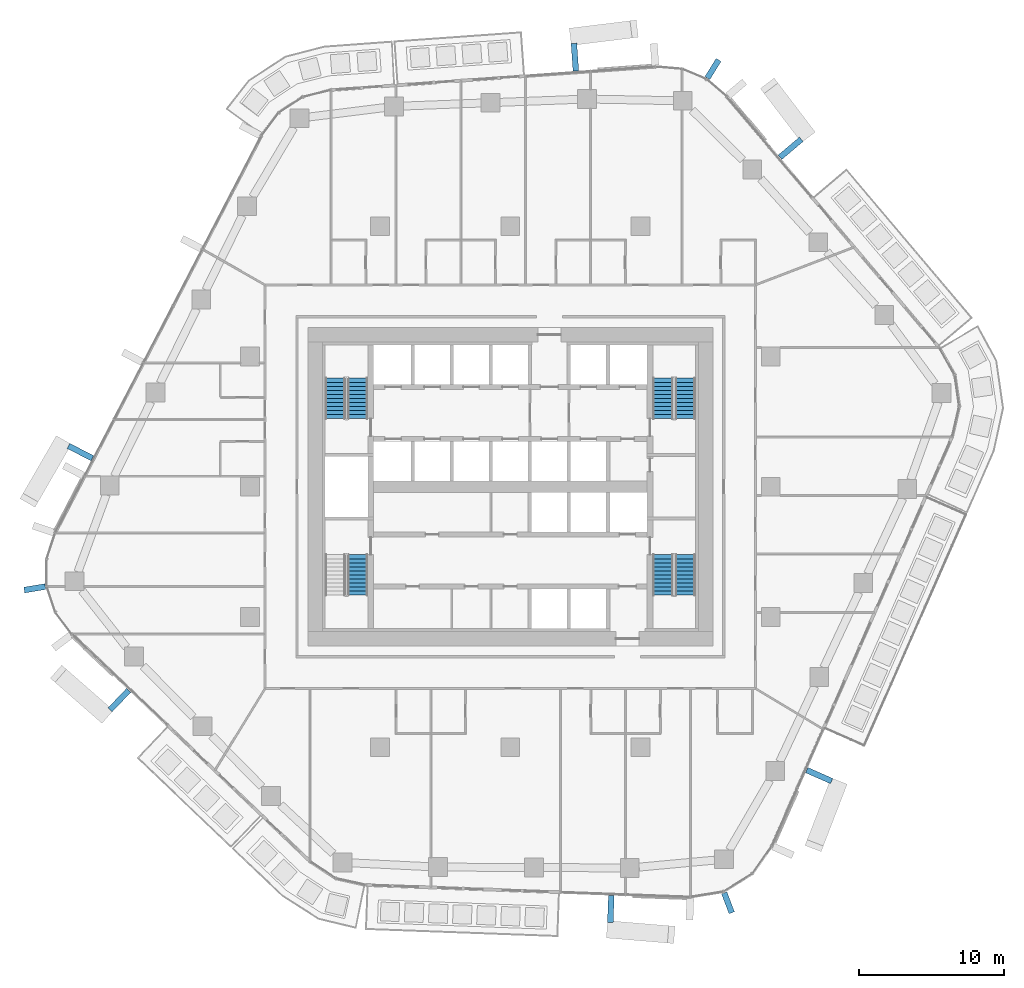
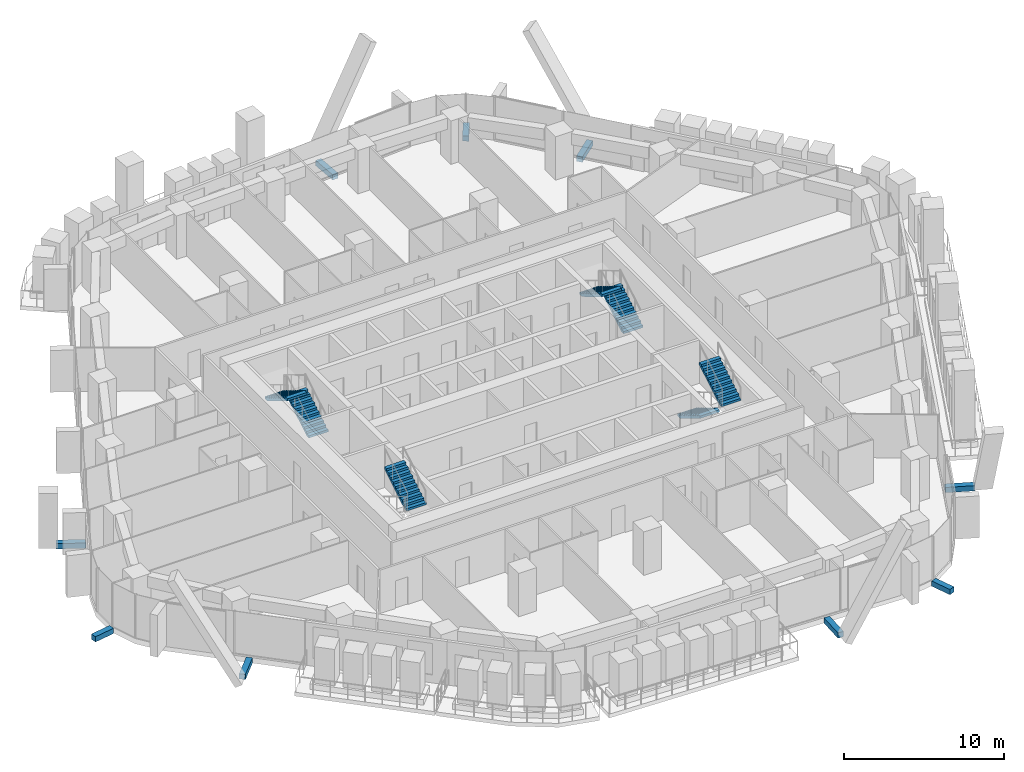
# One storey, part 18 of 24: 9 discrete accessories, 7 stair flights, 4 elements without a shape of their own.
"""IFC4 building model written with IfcOpenShell, lengths in metres."""

import ifcopenshell
import ifcopenshell.guid

model = None  # the IFC model being written
_history = None  # IfcOwnerHistory: only IFC2X3 demands one
_inside = {}  # id of a spatial element -> (the spatial element, [elements in it])
_under = {}  # id of a project, library or spatial element -> (it, [spatial elements below it])
_declared = {}  # id of a project -> (the project, [libraries it declares])
_typed = {}  # id of a type object -> (the type object, [elements of that type])
_made_of = {}  # id of a material, layer set ... -> (it, [elements and type objects made of it])


def new_model(schema):
    """Start an empty IFC model of exactly this schema.

    Asked for "IFC4X3", IfcOpenShell would pick the latest addendum, in which some entities
    have other attributes; the version numbers below select the first issue.
    IFC2X3 requires an IfcOwnerHistory on every rooted entity: one is made here for all.
    """
    global model, _history
    if schema == "IFC4X3":
        model = ifcopenshell.file(schema_version=(4, 3, 0, 0))
    else:
        model = ifcopenshell.file(schema=schema)
    _inside.clear()
    _under.clear()
    _declared.clear()
    _typed.clear()
    _made_of.clear()
    _history = None
    if model.schema == "IFC2X3":
        org = make("IfcOrganization", Name="unknown")
        user = make(
            "IfcPersonAndOrganization",
            ThePerson=make("IfcPerson", FamilyName="unknown"),
            TheOrganization=org,
        )
        app = make(
            "IfcApplication",
            ApplicationDeveloper=org,
            Version="unknown",
            ApplicationFullName="unknown",
            ApplicationIdentifier="unknown",
        )
        _history = make(
            "IfcOwnerHistory",
            OwningUser=user,
            OwningApplication=app,
            ChangeAction="ADDED",
            CreationDate=0,
        )
    return model


def make(cls, **values):
    """One entity of the class cls with the attributes given. An attribute that is None is left unset."""
    return model.create_entity(
        cls, **{name: value for name, value in values.items() if value is not None}
    )


def rooted(cls, **values):
    """An entity with a GlobalId (a new one), such as an element, a storey or a relation."""
    return make(cls, GlobalId=ifcopenshell.guid.new(), OwnerHistory=_history, **values)


def si_unit(unit_type, name, prefix=None):
    """IfcSIUnit, for example si_unit("LENGTHUNIT", "METRE", prefix="MILLI")."""
    return make("IfcSIUnit", UnitType=unit_type, Prefix=prefix, Name=name)


def assignment(units):
    """IfcUnitAssignment: the units of a project."""
    return None if units is None else make("IfcUnitAssignment", Units=units)


def point(xyz):
    """IfcCartesianPoint."""
    return None if xyz is None else make("IfcCartesianPoint", Coordinates=xyz)


def direction(xyz):
    """IfcDirection."""
    return None if xyz is None else make("IfcDirection", DirectionRatios=xyz)


def frame(location, z_axis=None, x_axis=None):
    """IfcAxis2Placement3D, a coordinate frame: its origin and axes. An axis left out is left unset."""
    return make(
        "IfcAxis2Placement3D",
        Location=point(location),
        Axis=direction(z_axis),
        RefDirection=direction(x_axis),
    )


def frame_2d(location, x_axis=None):
    """IfcAxis2Placement2D, a coordinate frame in the plane: its origin and x axis."""
    return make(
        "IfcAxis2Placement2D", Location=point(location), RefDirection=direction(x_axis)
    )


def origin():
    """The frame at (0, 0, 0) with its axes left unset."""
    return frame((0.0, 0.0, 0.0))


def origin_2d():
    """The frame at (0, 0) in the plane with its x axis left unset."""
    return frame_2d((0.0, 0.0))


def place(relative_to, where):
    """IfcLocalPlacement: puts the frame where relative to a parent placement (None: the world)."""
    return make(
        "IfcLocalPlacement", PlacementRelTo=relative_to, RelativePlacement=where
    )


def context(
    kind, dimensions, precision=None, world=None, true_north=None, identifier=None
):
    """IfcGeometricRepresentationContext, for example the 3D "Model" context."""
    return make(
        "IfcGeometricRepresentationContext",
        ContextIdentifier=identifier,
        ContextType=kind,
        CoordinateSpaceDimension=dimensions,
        Precision=precision,
        WorldCoordinateSystem=world,
        TrueNorth=true_north,
    )


def subcontext(parent, identifier, kind, view, scale=None):
    """IfcGeometricRepresentationSubContext, for example "Body" below "Model"."""
    return make(
        "IfcGeometricRepresentationSubContext",
        ContextIdentifier=identifier,
        ContextType=kind,
        ParentContext=parent,
        TargetScale=scale,
        TargetView=view,
    )


def project(units=None, contexts=None):
    """IfcProject with its units and contexts."""
    return rooted(
        "IfcProject",
        Name="project",
        RepresentationContexts=contexts,
        UnitsInContext=assignment(units),
    )


def spatial(cls, under=None, at=None, **own):
    """A site, building, storey or space (cls), placed at a placement, below another one or the project."""
    s = rooted(cls, ObjectPlacement=at, **own)
    if under is not None:
        _under.setdefault(under.id(), (under, []))[1].append(s)
    return s


def polyline(points):
    """IfcPolyline through the points."""
    return make("IfcPolyline", Points=[point(p) for p in points])


def profile(cls, at=None, kind="AREA", **sizes):
    """A parametric profile (cls). Its sizes go by their IFC names, for example OverallWidth=200.0."""
    return make(cls, ProfileType=kind, Position=at, **sizes)


def rectangle(**sizes):
    """IfcRectangleProfileDef."""
    return profile("IfcRectangleProfileDef", **sizes)


def outline(outer, holes=None, kind="AREA"):
    """IfcArbitraryClosedProfileDef: a profile drawn as a closed curve; with holes, ...WithVoids."""
    if holes is None:
        return make("IfcArbitraryClosedProfileDef", ProfileType=kind, OuterCurve=outer)
    return make(
        "IfcArbitraryProfileDefWithVoids",
        ProfileType=kind,
        OuterCurve=outer,
        InnerCurves=holes,
    )


def extrude(swept, where, along, depth):
    """IfcExtrudedAreaSolid: the profile swept, set in the frame where, extruded along a direction by depth."""
    return make(
        "IfcExtrudedAreaSolid",
        SweptArea=swept,
        Position=where,
        ExtrudedDirection=direction(along),
        Depth=depth,
    )


def shape(context_of_items, identifier, shape_type, items):
    """IfcShapeRepresentation: the items that make up one representation, for example the "Body"."""
    return make(
        "IfcShapeRepresentation",
        ContextOfItems=context_of_items,
        RepresentationIdentifier=identifier,
        RepresentationType=shape_type,
        Items=items,
    )


def material(Name=None, Category=None):
    """IfcMaterial."""
    return make("IfcMaterial", Name=Name, Category=Category)


def layer(
    of_material, thickness, ventilated=None, Name=None, Category=None, Priority=None
):
    """IfcMaterialLayer: one layer of a wall or slab, of a material (None: an air gap)."""
    return make(
        "IfcMaterialLayer",
        Material=of_material,
        LayerThickness=thickness,
        IsVentilated=ventilated,
        Name=Name,
        Category=Category,
        Priority=Priority,
    )


def layer_set(layers, Name=None):
    """IfcMaterialLayerSet."""
    return make("IfcMaterialLayerSet", MaterialLayers=layers, LayerSetName=Name)


def made_of(thing, what):
    """Note that an element or type object is made of a material, layer set ...; save() writes the relation."""
    if what is not None:
        _made_of.setdefault(what.id(), (what, []))[1].append(thing)
    return thing


def type_object(cls, material=None, **own):
    """A type object (cls), such as IfcWallType, which elements share."""
    return made_of(rooted(cls, **own), material)


def element(
    cls,
    number,
    at=None,
    inside=None,
    cuts=None,
    type_object=None,
    material=None,
    context=None,
    identifier="Body",
    shape_type=None,
    held_by="IfcProductDefinitionShape",
    body=None,
    shapes=None,
    **own,
):
    """One element of the class cls, such as IfcWall. Its Tag is "e" and its number.

    at: its placement. inside: the storey or other place that contains it. cuts: it is an
    opening in that element (IfcRelVoidsElement). A single representation is given by context,
    identifier, shape_type and body (its items); several are given by shapes. held_by: the class
    of the entity that holds the representations. save() writes the other relations.
    """
    e = rooted(cls, Tag="e%d" % number, ObjectPlacement=at, **own)
    if body is not None:
        shapes = [shape(context, identifier, shape_type, body)]
    if shapes is not None:
        e.Representation = make(held_by, Representations=shapes)
    if inside is not None:
        _inside.setdefault(inside.id(), (inside, []))[1].append(e)
    if cuts is not None:
        rooted(
            "IfcRelVoidsElement", RelatingBuildingElement=cuts, RelatedOpeningElement=e
        )
    if type_object is not None:
        _typed.setdefault(type_object.id(), (type_object, []))[1].append(e)
    return made_of(e, material)


def aggregate(whole, parts):
    """IfcRelAggregates: a whole, such as a stair, and the parts it consists of."""
    return rooted("IfcRelAggregates", RelatingObject=whole, RelatedObjects=parts)


def save(model, path):
    """Write the relations noted so far, then the file.

    IfcRelAggregates (storeys below a building ...), IfcRelContainedInSpatialStructure (elements
    in a storey), IfcRelDefinesByType, IfcRelAssociatesMaterial and IfcRelDeclares: one each for
    every whole, place, type object, material and project.
    """
    for whole, parts in _under.values():
        aggregate(whole, parts)
    for where, things in _inside.values():
        rooted(
            "IfcRelContainedInSpatialStructure",
            RelatedElements=things,
            RelatingStructure=where,
        )
    for kind, things in _typed.values():
        rooted("IfcRelDefinesByType", RelatedObjects=things, RelatingType=kind)
    for what, things in _made_of.values():
        rooted("IfcRelAssociatesMaterial", RelatedObjects=things, RelatingMaterial=what)
    for by, libraries in _declared.values():
        rooted("IfcRelDeclares", RelatingContext=by, RelatedDefinitions=libraries)
    model.write(path)


model = new_model("IFC4")

# Units and contexts
model_context = context("Model", 3, precision=1e-05, world=origin(), true_north=direction((0.0, 1.0)))
body_context = subcontext(model_context, "Body", "Model", "MODEL_VIEW")
ifc_project = project(units=[si_unit("LENGTHUNIT", "METRE"), si_unit("AREAUNIT", "SQUARE_METRE"), si_unit("VOLUMEUNIT", "CUBIC_METRE"), si_unit("PLANEANGLEUNIT", "RADIAN"), si_unit("MASSUNIT", "GRAM", prefix="KILO")], contexts=[model_context])

# Site, building, storey
site_placement = place(None, origin())
site = spatial("IfcSite", under=ifc_project, at=site_placement, CompositionType="ELEMENT")
building_placement = place(site_placement, origin())
building = spatial("IfcBuilding", under=site, at=building_placement, Name="Dongbaek Canopy Tower", CompositionType="ELEMENT")
storey_placement = place(building_placement, frame((0.0, 0.0, 113.699951171875)))
storey = spatial("IfcBuildingStorey", under=building, at=storey_placement, Name="L24", CompositionType="ELEMENT", Elevation=113.699951171875)

# Stair, stair flights
ifc_material_1 = material(Name="Concrete C40/50", Category="concrete")
stair_type = type_object("IfcStairType", Name="Core exit stair", PredefinedType="HALF_TURN_STAIR", material=ifc_material_1)
stair_1_placement = place(storey_placement, origin())
stair_1 = element("IfcStair", 1, at=stair_1_placement, inside=storey, type_object=stair_type, Name="L24 exit stair A", PredefinedType="HALF_TURN_STAIR")
ifc_material_2 = material(Name="Concrete C40/50", Category="concrete")
ifc_layer = layer(ifc_material_2, 0.14990234375)
ifc_layer_set = layer_set([ifc_layer], Name="Core stair flight 150 waist")
stair_flight_type = type_object("IfcStairFlightType", Name="Core stair flight 150 waist", PredefinedType="STRAIGHT", material=ifc_layer_set)
stair_flight_1_placement = place(storey_placement, frame((12.10009765625, 4.699951171875, 0.0), z_axis=(0.0, 0.0, 1.0), x_axis=(0.0, 1.0, 0.0)))
stair_flight_1 = element("IfcStairFlight", 2, at=stair_flight_1_placement, type_object=stair_flight_type, Name="ST-A flight 1", NumberOfRisers=11, NumberOfTreads=10, PredefinedType="STRAIGHT", RiserHeight=0.168181818, TreadLength=0.28, context=body_context, shape_type="SweptSolid", body=[
    extrude(outline(polyline([(0.0, 0.0), (0.0, 0.168212890625), (0.280029296875, 0.168212890625), (0.280029296875, 0.33642578125), (0.56005859375, 0.33642578125), (0.56005859375, 0.504638671875), (0.840087890625, 0.504638671875), (0.840087890625, 0.672607421875), (1.1201171875, 0.672607421875), (1.1201171875, 0.8408203125), (1.39990234375, 0.8408203125), (1.39990234375, 1.009033203125), (1.679931640625, 1.009033203125), (1.679931640625, 1.17724609375), (1.9599609375, 1.17724609375), (1.9599609375, 1.345458984375), (2.239990234375, 1.345458984375), (2.239990234375, 1.513671875), (2.52001953125, 1.513671875), (2.52001953125, 1.681884765625), (2.800048828125, 1.681884765625), (2.800048828125, 1.85009765625), (2.800048828125, 1.5068359375), (0.291015625, 0.0), (0.0, 0.0)])), frame((0.0, 0.699951171875, 0.0), z_axis=(0.0, -1.0, 0.0), x_axis=(1.0, 0.0, 0.0)), (0.0, 0.0, 1.0), 1.39990234375),
])
stair_flight_2_placement = place(storey_placement, frame((10.550048828125, 7.5, 1.85009765625), z_axis=(0.0, 0.0, 1.0), x_axis=(0.0, -1.0, 0.0)))
stair_flight_2 = element("IfcStairFlight", 3, at=stair_flight_2_placement, type_object=stair_flight_type, Name="ST-A flight 2", NumberOfRisers=11, NumberOfTreads=10, PredefinedType="STRAIGHT", RiserHeight=0.168181818, TreadLength=0.28, context=body_context, shape_type="SweptSolid", body=[
    extrude(outline(polyline([(0.0, 0.0), (0.0, 0.168212890625), (0.280029296875, 0.168212890625), (0.280029296875, 0.33642578125), (0.56005859375, 0.33642578125), (0.56005859375, 0.504638671875), (0.840087890625, 0.504638671875), (0.840087890625, 0.672607421875), (1.1201171875, 0.672607421875), (1.1201171875, 0.8408203125), (1.39990234375, 0.8408203125), (1.39990234375, 1.009033203125), (1.679931640625, 1.009033203125), (1.679931640625, 1.17724609375), (1.9599609375, 1.17724609375), (1.9599609375, 1.345458984375), (2.239990234375, 1.345458984375), (2.239990234375, 1.513671875), (2.52001953125, 1.513671875), (2.52001953125, 1.681884765625), (2.800048828125, 1.681884765625), (2.800048828125, 1.85009765625), (2.800048828125, 1.5068359375), (0.291015625, 0.0), (0.0, 0.0)])), frame((0.0, 0.699951171875, 0.0), z_axis=(0.0, -1.0, 0.0), x_axis=(1.0, 0.0, 0.0)), (0.0, 0.0, 1.0), 1.39990234375),
])
aggregate(stair_1, [stair_flight_1, stair_flight_2])

stair_2_placement = place(storey_placement, origin())
stair_2 = element("IfcStair", 4, at=stair_2_placement, inside=storey, type_object=stair_type, Name="L24 exit stair C", PredefinedType="HALF_TURN_STAIR")
stair_flight_3_placement = place(storey_placement, frame((-10.550048828125, 4.699951171875, 0.0), z_axis=(0.0, 0.0, 1.0), x_axis=(0.0, 1.0, 0.0)))
stair_flight_3 = element("IfcStairFlight", 5, at=stair_flight_3_placement, type_object=stair_flight_type, Name="ST-C flight 1", NumberOfRisers=11, NumberOfTreads=10, PredefinedType="STRAIGHT", RiserHeight=0.168181818, TreadLength=0.28, context=body_context, shape_type="SweptSolid", body=[
    extrude(outline(polyline([(0.0, 0.0), (0.0, 0.168212890625), (0.280029296875, 0.168212890625), (0.280029296875, 0.33642578125), (0.56005859375, 0.33642578125), (0.56005859375, 0.504638671875), (0.840087890625, 0.504638671875), (0.840087890625, 0.672607421875), (1.1201171875, 0.672607421875), (1.1201171875, 0.8408203125), (1.39990234375, 0.8408203125), (1.39990234375, 1.009033203125), (1.679931640625, 1.009033203125), (1.679931640625, 1.17724609375), (1.9599609375, 1.17724609375), (1.9599609375, 1.345458984375), (2.239990234375, 1.345458984375), (2.239990234375, 1.513671875), (2.52001953125, 1.513671875), (2.52001953125, 1.681884765625), (2.800048828125, 1.681884765625), (2.800048828125, 1.85009765625), (2.800048828125, 1.5068359375), (0.291015625, 0.0), (0.0, 0.0)])), frame((0.0, 0.699951171875, 0.0), z_axis=(0.0, -1.0, 0.0), x_axis=(1.0, 0.0, 0.0)), (0.0, 0.0, 1.0), 1.39990234375),
])
stair_flight_4_placement = place(storey_placement, frame((-12.10009765625, 7.5, 1.85009765625), z_axis=(0.0, 0.0, 1.0), x_axis=(0.0, -1.0, 0.0)))
stair_flight_4 = element("IfcStairFlight", 6, at=stair_flight_4_placement, type_object=stair_flight_type, Name="ST-C flight 2", NumberOfRisers=11, NumberOfTreads=10, PredefinedType="STRAIGHT", RiserHeight=0.168181818, TreadLength=0.28, context=body_context, shape_type="SweptSolid", body=[
    extrude(outline(polyline([(0.0, 0.0), (0.0, 0.168212890625), (0.280029296875, 0.168212890625), (0.280029296875, 0.33642578125), (0.56005859375, 0.33642578125), (0.56005859375, 0.504638671875), (0.840087890625, 0.504638671875), (0.840087890625, 0.672607421875), (1.1201171875, 0.672607421875), (1.1201171875, 0.8408203125), (1.39990234375, 0.8408203125), (1.39990234375, 1.009033203125), (1.679931640625, 1.009033203125), (1.679931640625, 1.17724609375), (1.9599609375, 1.17724609375), (1.9599609375, 1.345458984375), (2.239990234375, 1.345458984375), (2.239990234375, 1.513671875), (2.52001953125, 1.513671875), (2.52001953125, 1.681884765625), (2.800048828125, 1.681884765625), (2.800048828125, 1.85009765625), (2.800048828125, 1.5068359375), (0.291015625, 0.0), (0.0, 0.0)])), frame((0.0, 0.699951171875, 0.0), z_axis=(0.0, -1.0, 0.0), x_axis=(1.0, 0.0, 0.0)), (0.0, 0.0, 1.0), 1.39990234375),
])
aggregate(stair_2, [stair_flight_3, stair_flight_4])

stair_3_placement = place(storey_placement, origin())
stair_3 = element("IfcStair", 7, at=stair_3_placement, inside=storey, type_object=stair_type, Name="L24 exit stair B", PredefinedType="HALF_TURN_STAIR")
stair_flight_5_placement = place(storey_placement, frame((10.550048828125, -4.699951171875, 0.0), z_axis=(0.0, 0.0, 1.0), x_axis=(0.0, -1.0, 0.0)))
stair_flight_5 = element("IfcStairFlight", 8, at=stair_flight_5_placement, type_object=stair_flight_type, Name="ST-B flight 1", NumberOfRisers=11, NumberOfTreads=10, PredefinedType="STRAIGHT", RiserHeight=0.168181818, TreadLength=0.28, context=body_context, shape_type="SweptSolid", body=[
    extrude(outline(polyline([(0.0, 0.0), (0.0, 0.168212890625), (0.280029296875, 0.168212890625), (0.280029296875, 0.33642578125), (0.56005859375, 0.33642578125), (0.56005859375, 0.504638671875), (0.840087890625, 0.504638671875), (0.840087890625, 0.672607421875), (1.1201171875, 0.672607421875), (1.1201171875, 0.8408203125), (1.39990234375, 0.8408203125), (1.39990234375, 1.009033203125), (1.679931640625, 1.009033203125), (1.679931640625, 1.17724609375), (1.9599609375, 1.17724609375), (1.9599609375, 1.345458984375), (2.239990234375, 1.345458984375), (2.239990234375, 1.513671875), (2.52001953125, 1.513671875), (2.52001953125, 1.681884765625), (2.800048828125, 1.681884765625), (2.800048828125, 1.85009765625), (2.800048828125, 1.5068359375), (0.291015625, 0.0), (0.0, 0.0)])), frame((0.0, 0.699951171875, 0.0), z_axis=(0.0, -1.0, 0.0), x_axis=(1.0, 0.0, 0.0)), (0.0, 0.0, 1.0), 1.39990234375),
])
stair_flight_6_placement = place(storey_placement, frame((12.10009765625, -7.5, 1.85009765625), z_axis=(0.0, 0.0, 1.0), x_axis=(0.0, 1.0, 0.0)))
stair_flight_6 = element("IfcStairFlight", 9, at=stair_flight_6_placement, type_object=stair_flight_type, Name="ST-B flight 2", NumberOfRisers=11, NumberOfTreads=10, PredefinedType="STRAIGHT", RiserHeight=0.168181818, TreadLength=0.28, context=body_context, shape_type="SweptSolid", body=[
    extrude(outline(polyline([(0.0, 0.0), (0.0, 0.168212890625), (0.280029296875, 0.168212890625), (0.280029296875, 0.33642578125), (0.56005859375, 0.33642578125), (0.56005859375, 0.504638671875), (0.840087890625, 0.504638671875), (0.840087890625, 0.672607421875), (1.1201171875, 0.672607421875), (1.1201171875, 0.8408203125), (1.39990234375, 0.8408203125), (1.39990234375, 1.009033203125), (1.679931640625, 1.009033203125), (1.679931640625, 1.17724609375), (1.9599609375, 1.17724609375), (1.9599609375, 1.345458984375), (2.239990234375, 1.345458984375), (2.239990234375, 1.513671875), (2.52001953125, 1.513671875), (2.52001953125, 1.681884765625), (2.800048828125, 1.681884765625), (2.800048828125, 1.85009765625), (2.800048828125, 1.5068359375), (0.291015625, 0.0), (0.0, 0.0)])), frame((0.0, 0.699951171875, 0.0), z_axis=(0.0, -1.0, 0.0), x_axis=(1.0, 0.0, 0.0)), (0.0, 0.0, 1.0), 1.39990234375),
])
aggregate(stair_3, [stair_flight_5, stair_flight_6])

# Stair, stair flight
stair_4_placement = place(storey_placement, origin())
stair_4 = element("IfcStair", 10, at=stair_4_placement, inside=storey, type_object=stair_type, Name="L24 exit stair D", PredefinedType="HALF_TURN_STAIR")
stair_flight_7_placement = place(storey_placement, frame((-10.550048828125, -7.5, 1.85009765625), z_axis=(0.0, 0.0, 1.0), x_axis=(0.0, 1.0, 0.0)))
stair_flight_7 = element("IfcStairFlight", 11, at=stair_flight_7_placement, type_object=stair_flight_type, Name="ST-D flight 2", NumberOfRisers=11, NumberOfTreads=10, PredefinedType="STRAIGHT", RiserHeight=0.168181818, TreadLength=0.28, context=body_context, shape_type="SweptSolid", body=[
    extrude(outline(polyline([(0.0, 0.0), (0.0, 0.168212890625), (0.280029296875, 0.168212890625), (0.280029296875, 0.33642578125), (0.56005859375, 0.33642578125), (0.56005859375, 0.504638671875), (0.840087890625, 0.504638671875), (0.840087890625, 0.672607421875), (1.1201171875, 0.672607421875), (1.1201171875, 0.8408203125), (1.39990234375, 0.8408203125), (1.39990234375, 1.009033203125), (1.679931640625, 1.009033203125), (1.679931640625, 1.17724609375), (1.9599609375, 1.17724609375), (1.9599609375, 1.345458984375), (2.239990234375, 1.345458984375), (2.239990234375, 1.513671875), (2.52001953125, 1.513671875), (2.52001953125, 1.681884765625), (2.800048828125, 1.681884765625), (2.800048828125, 1.85009765625), (2.800048828125, 1.5068359375), (0.291015625, 0.0), (0.0, 0.0)])), frame((0.0, 0.699951171875, 0.0), z_axis=(0.0, -1.0, 0.0), x_axis=(1.0, 0.0, 0.0)), (0.0, 0.0, 1.0), 1.39990234375),
])
aggregate(stair_4, [stair_flight_7])

# Discrete accessories
ifc_material_3 = material(Name="Galvanised steel S355 bracket", Category="steel")
discrete_accessory_type = type_object("IfcDiscreteAccessoryType", Name="Crease fin bracket BR3 400", PredefinedType="BRACKET", material=ifc_material_3)
discrete_accessory_1_placement = place(storey_placement, frame((19.3720703125, 23.390869140625, -0.39990234375), z_axis=(0.0, 0.0, 1.0), x_axis=(0.763289979412, 0.646056040394, 0.0)))
element("IfcDiscreteAccessory", 12, at=discrete_accessory_1_placement, inside=storey, type_object=discrete_accessory_type, Name="Crease fin bracket L24 F0", PredefinedType="BRACKET", context=body_context, shape_type="SweptSolid", body=[
    extrude(rectangle(XDim=1.919189453125, YDim=0.39990234375, at=origin_2d()), origin(), (0.0, 0.0, 1.0), 0.39990234375),
])
discrete_accessory_2_placement = place(storey_placement, frame((4.462158203125, 29.6904296875, -0.39990234375), z_axis=(0.0, 0.0, 1.0), x_axis=(-0.071742903788, 0.99742315782, 0.0)))
element("IfcDiscreteAccessory", 13, at=discrete_accessory_2_placement, inside=storey, type_object=discrete_accessory_type, Name="Crease fin bracket L24 F1", PredefinedType="BRACKET", context=body_context, shape_type="SweptSolid", body=[
    extrude(rectangle(XDim=1.90869140625, YDim=0.39990234375, at=origin_2d()), origin(), (0.0, 0.0, 1.0), 0.39990234375),
])
discrete_accessory_3_placement = place(storey_placement, frame((-29.71875, 2.3955078125, -0.39990234375), z_axis=(0.0, 0.0, 1.0), x_axis=(-0.887462519706, 0.460879893376, 0.0)))
element("IfcDiscreteAccessory", 14, at=discrete_accessory_3_placement, inside=storey, type_object=discrete_accessory_type, Name="Crease fin bracket L24 F2", PredefinedType="BRACKET", context=body_context, shape_type="SweptSolid", body=[
    extrude(rectangle(XDim=1.85595703125, YDim=0.39990234375, at=origin_2d()), origin(), (0.0, 0.0, 1.0), 0.39990234375),
])
discrete_accessory_4_placement = place(storey_placement, frame((-27.01953125, -14.744140625, -0.39990234375), z_axis=(0.0, 0.0, 1.0), x_axis=(-0.690482309776, -0.723349279316, 0.0)))
element("IfcDiscreteAccessory", 15, at=discrete_accessory_4_placement, inside=storey, type_object=discrete_accessory_type, Name="Crease fin bracket L24 F3", PredefinedType="BRACKET", context=body_context, shape_type="SweptSolid", body=[
    extrude(rectangle(XDim=1.861572265625, YDim=0.39990234375, at=origin_2d()), origin(), (0.0, 0.0, 1.0), 0.39990234375),
])
discrete_accessory_5_placement = place(storey_placement, frame((6.94580078125, -29.190673828125, -0.39990234375), z_axis=(0.0, 0.0, 1.0), x_axis=(-0.036872192324, -0.999319989509, 0.0)))
element("IfcDiscreteAccessory", 16, at=discrete_accessory_5_placement, inside=storey, type_object=discrete_accessory_type, Name="Crease fin bracket L24 F4", PredefinedType="BRACKET", context=body_context, shape_type="SweptSolid", body=[
    extrude(rectangle(XDim=1.875732421875, YDim=0.39990234375, at=origin_2d()), origin(), (0.0, 0.0, 1.0), 0.39990234375),
])
discrete_accessory_6_placement = place(storey_placement, frame((21.34814453125, -19.966552734375, -0.39990234375), z_axis=(0.0, 0.0, 1.0), x_axis=(0.915073027151, -0.403288178578, 0.0)))
element("IfcDiscreteAccessory", 17, at=discrete_accessory_6_placement, inside=storey, type_object=discrete_accessory_type, Name="Crease fin bracket L24 F5", PredefinedType="BRACKET", context=body_context, shape_type="SweptSolid", body=[
    extrude(rectangle(XDim=1.877197265625, YDim=0.39990234375, at=origin_2d()), origin(), (0.0, 0.0, 1.0), 0.39990234375),
])
for number, where, z_axis, x_axis, name in (
    (18, (14.00732421875, 28.87353515625, -0.39990234375), (0.0, 0.0, 1.0), (0.526936511908, 0.849904649016, 0.0), "Corner fin bracket L24 K1"),
    (19, (-32.872802734375, -7.022216796875, -0.39990234375), (0.0, 0.0, 1.0), (-0.986446731752, -0.164081825364, 0.0), "Corner fin bracket L24 K3"),
    (20, (15.043701171875, -28.760986328125, -0.39990234375), (0.0, 0.0, 1.0), (0.352875585883, -0.935670252219, 0.0), "Corner fin bracket L24 K5"),
):
    element("IfcDiscreteAccessory", number, at=place(storey_placement, frame(where, z_axis=z_axis, x_axis=x_axis)), inside=storey, type_object=discrete_accessory_type, Name=name, PredefinedType="BRACKET", context=body_context, shape_type="SweptSolid", body=[
        extrude(rectangle(XDim=1.469970703125, YDim=0.39990234375, at=origin_2d()), origin(), (0.0, 0.0, 1.0), 0.39990234375),
    ])

save(model, "model.ifc")
